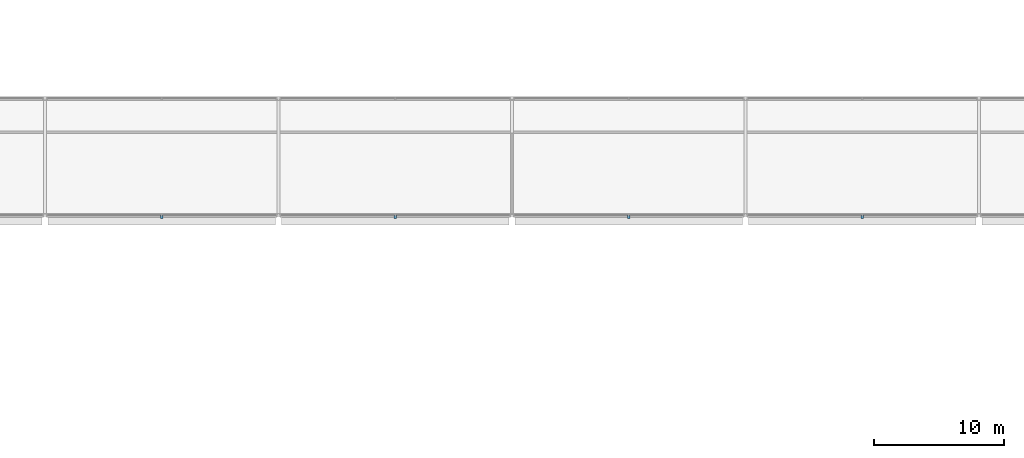
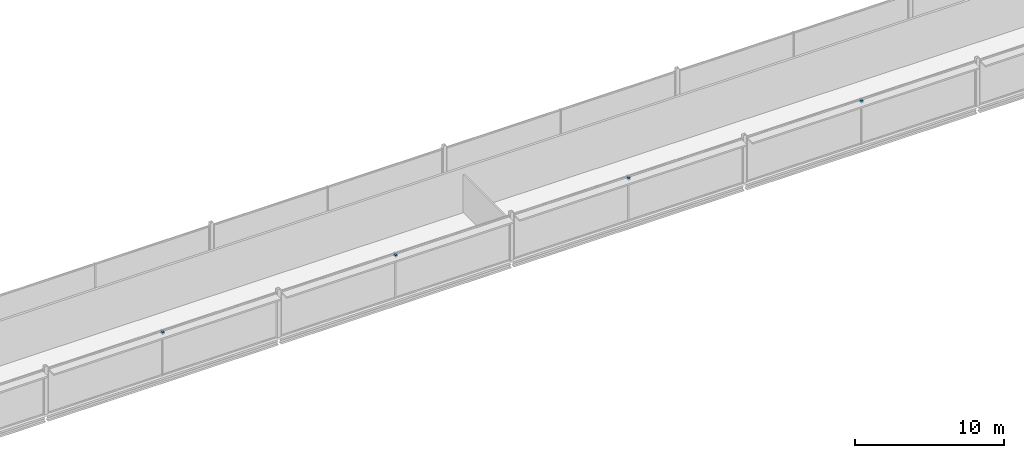
# One storey, part 71 of 96: 4 discrete accessories.
"""IFC4 building model written with IfcOpenShell, lengths in metres."""

from ifc_helpers import new_model, si_unit, direction, frame, origin, origin_2d, place, context, subcontext, project, spatial, rectangle, extrude, material, type_object, element, save


model = new_model("IFC4")

# Units and contexts
model_context = context("Model", 3, precision=1e-05, world=origin(), true_north=direction((0.0, 1.0)))
body_context = subcontext(model_context, "Body", "Model", "MODEL_VIEW")
ifc_project = project(units=[si_unit("LENGTHUNIT", "METRE"), si_unit("AREAUNIT", "SQUARE_METRE"), si_unit("VOLUMEUNIT", "CUBIC_METRE"), si_unit("PLANEANGLEUNIT", "RADIAN"), si_unit("MASSUNIT", "GRAM", prefix="KILO")], contexts=[model_context])

# Site, building, storey
site_placement = place(None, origin())
site = spatial("IfcSite", under=ifc_project, at=site_placement, CompositionType="ELEMENT")
building_placement = place(site_placement, origin())
building = spatial("IfcBuilding", under=site, at=building_placement, Name="Kisiwana Market Hall", CompositionType="ELEMENT")
storey_placement = place(building_placement, frame((0.0, 0.0, 25.5)))
storey = spatial("IfcBuildingStorey", under=building, at=storey_placement, Name="L05", CompositionType="ELEMENT", Elevation=25.5)

# Discrete accessories
ifc_material = material(Name="Steel S355", Category="steel")
discrete_accessory_type = type_object("IfcDiscreteAccessoryType", Name="ACC-BRACKET-STL", PredefinedType="BRACKET", material=ifc_material)
for number, where, z_axis, x_axis, name in (
    (1, (72.0, 92.889892578125, 3.44482421875), (0.0, 0.0, 1.0), (1.0, 0.0, 0.0), "Sunshade steel bracket BRK-086"),
    (2, (90.0, 92.889892578125, 3.44482421875), (0.0, 0.0, 1.0), (1.0, 0.0, 0.0), "Sunshade steel bracket BRK-087"),
    (3, (108.0, 92.889892578125, 3.44482421875), (0.0, 0.0, 1.0), (1.0, 0.0, 0.0), "Sunshade steel bracket BRK-088"),
    (4, (126.0, 92.889892578125, 3.44482421875), (0.0, 0.0, 1.0), (1.0, 0.0, 0.0), "Sunshade steel bracket BRK-089"),
):
    element("IfcDiscreteAccessory", number, at=place(storey_placement, frame(where, z_axis=z_axis, x_axis=x_axis)), inside=storey, type_object=discrete_accessory_type, Name=name, PredefinedType="BRACKET", context=body_context, shape_type="SweptSolid", body=[
        extrude(rectangle(XDim=0.179931640625, YDim=0.239990234375, at=origin_2d()), origin(), (0.0, 0.0, 1.0), 0.179931640625),
    ])

save(model, "model.ifc")
